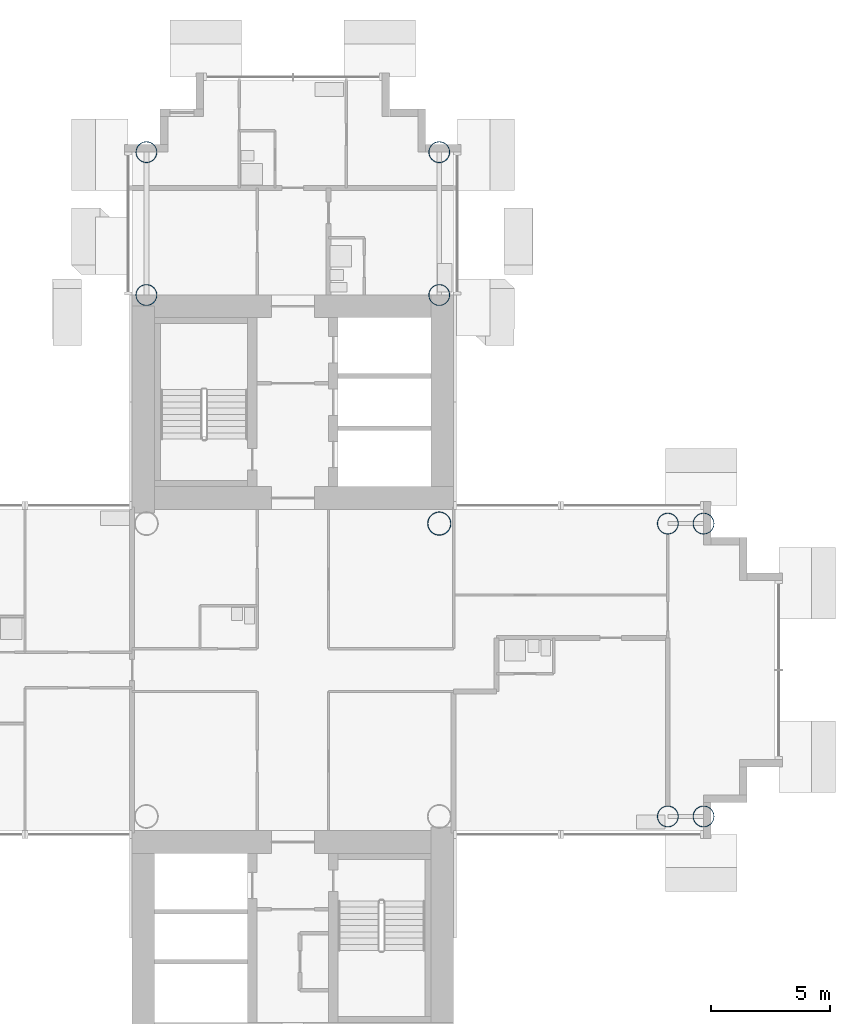
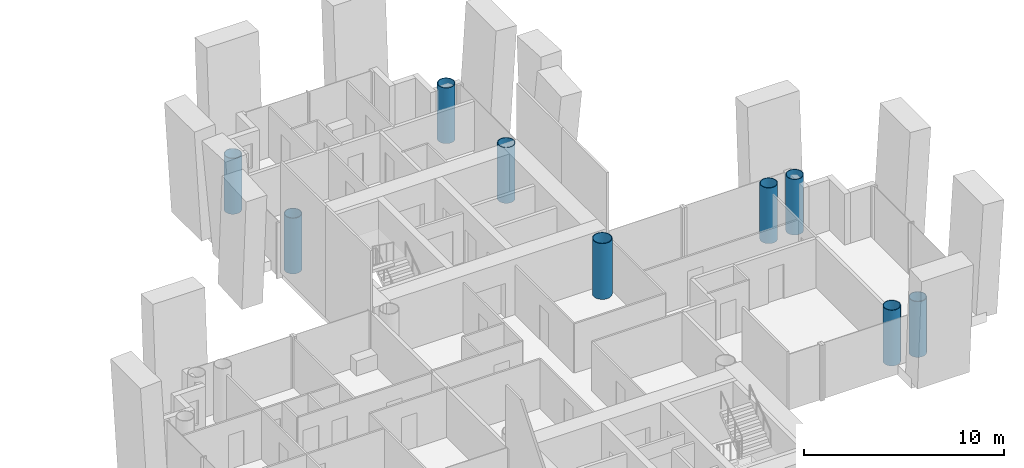
# One storey, part 2 of 21: 9 columns.
"""IFC4 building model written with IfcOpenShell, lengths in metres."""

from ifc_helpers import new_model, si_unit, direction, frame, origin, origin_2d, place, context, subcontext, project, spatial, hollow_circle, extrude, material, material_profile, profile_set, type_object, element, save


model = new_model("IFC4")

# Units and contexts
model_context = context("Model", 3, precision=1e-05, world=origin(), true_north=direction((0.0, 1.0)))
body_context = subcontext(model_context, "Body", "Model", "MODEL_VIEW")
ifc_project = project(units=[si_unit("LENGTHUNIT", "METRE"), si_unit("AREAUNIT", "SQUARE_METRE"), si_unit("VOLUMEUNIT", "CUBIC_METRE"), si_unit("PLANEANGLEUNIT", "RADIAN"), si_unit("MASSUNIT", "GRAM", prefix="KILO")], contexts=[model_context])

# Site, building, storey
site_placement = place(None, origin())
site = spatial("IfcSite", under=ifc_project, at=site_placement, CompositionType="ELEMENT")
building_placement = place(site_placement, origin())
building = spatial("IfcBuilding", under=site, at=building_placement, Name="Ipe Terrace Towers", CompositionType="ELEMENT")
storey_placement = place(building_placement, frame((0.0, 0.0, 114.0)))
storey = spatial("IfcBuildingStorey", under=building, at=storey_placement, Name="L31", CompositionType="ELEMENT", Elevation=114.0)

# Columns
ifc_material_1 = material(Name="Steel S355 tube with Concrete C60/75 fill", Category="concrete")
ifc_material_profile_1 = material_profile(ifc_material_1, hollow_circle(Radius=0.5, WallThickness=0.035888671875, at=origin_2d()), Name="CHS-1000x36")
ifc_profile_set_1 = profile_set([ifc_material_profile_1], Name="Steel S355 tube with Concrete C60/75 fill")
column_type_1 = type_object("IfcColumnType", Name="CH01 COLUMN CHS-1000x36", PredefinedType="COLUMN", material=ifc_profile_set_1)
column_placement = place(storey_placement, frame((42.14990234375, 6.14990234375, 0.0), z_axis=(0.0, 0.0, 1.0), x_axis=(1.0, 0.0, 0.0)))
element("IfcColumn", 1, at=column_placement, inside=storey, type_object=column_type_1, Name="Column T2-C-E02", PredefinedType="COLUMN", context=body_context, shape_type="SweptSolid", body=[
    extrude(hollow_circle(Radius=0.5, WallThickness=0.035888671875, at=origin_2d()), origin(), (0.0, 0.0, 1.0), 3.39990234375),
])
ifc_material_2 = material(Name="Steel S355 tube with Concrete C60/75 fill", Category="concrete")
ifc_material_profile_2 = material_profile(ifc_material_2, hollow_circle(Radius=0.449951171875, WallThickness=0.031982421875, at=origin_2d()), Name="CHS-900x32")
ifc_profile_set_2 = profile_set([ifc_material_profile_2], Name="Steel S355 tube with Concrete C60/75 fill")
column_type_2 = type_object("IfcColumnType", Name="CH10 COLUMN CHS-900x32", PredefinedType="COLUMN", material=ifc_profile_set_2)
for number, where, z_axis, x_axis, name in (
    (2, (42.14990234375, 15.75, 0.0), (0.0, 0.0, 1.0), (1.0, 0.0, 0.0), "Column T2-C-A01"),
    (3, (29.85009765625, 15.75, 0.0), (0.0, 0.0, 1.0), (1.0, 0.0, 0.0), "Column T2-C-A02"),
    (4, (42.14990234375, 21.75, 0.0), (0.0, 0.0, 1.0), (1.0, 0.0, 0.0), "Column T2-C-A03"),
    (5, (29.85009765625, 21.75, 0.0), (0.0, 0.0, 1.0), (1.0, 0.0, 0.0), "Column T2-C-A04"),
    (6, (51.75, -6.14990234375, 0.0), (0.0, 0.0, 1.0), (1.0, 0.0, 0.0), "Column T2-C-D03"),
    (7, (51.75, 6.14990234375, 0.0), (0.0, 0.0, 1.0), (1.0, 0.0, 0.0), "Column T2-C-D04"),
    (8, (53.25, -6.14990234375, 0.0), (0.0, 0.0, 1.0), (1.0, 0.0, 0.0), "Column T2-C-D05"),
    (9, (53.25, 6.14990234375, 0.0), (0.0, 0.0, 1.0), (1.0, 0.0, 0.0), "Column T2-C-D06"),
):
    element("IfcColumn", number, at=place(storey_placement, frame(where, z_axis=z_axis, x_axis=x_axis)), inside=storey, type_object=column_type_2, Name=name, PredefinedType="COLUMN", context=body_context, shape_type="SweptSolid", body=[
        extrude(hollow_circle(Radius=0.449951171875, WallThickness=0.031982421875, at=origin_2d()), origin(), (0.0, 0.0, 1.0), 3.39990234375),
    ])

save(model, "model.ifc")
